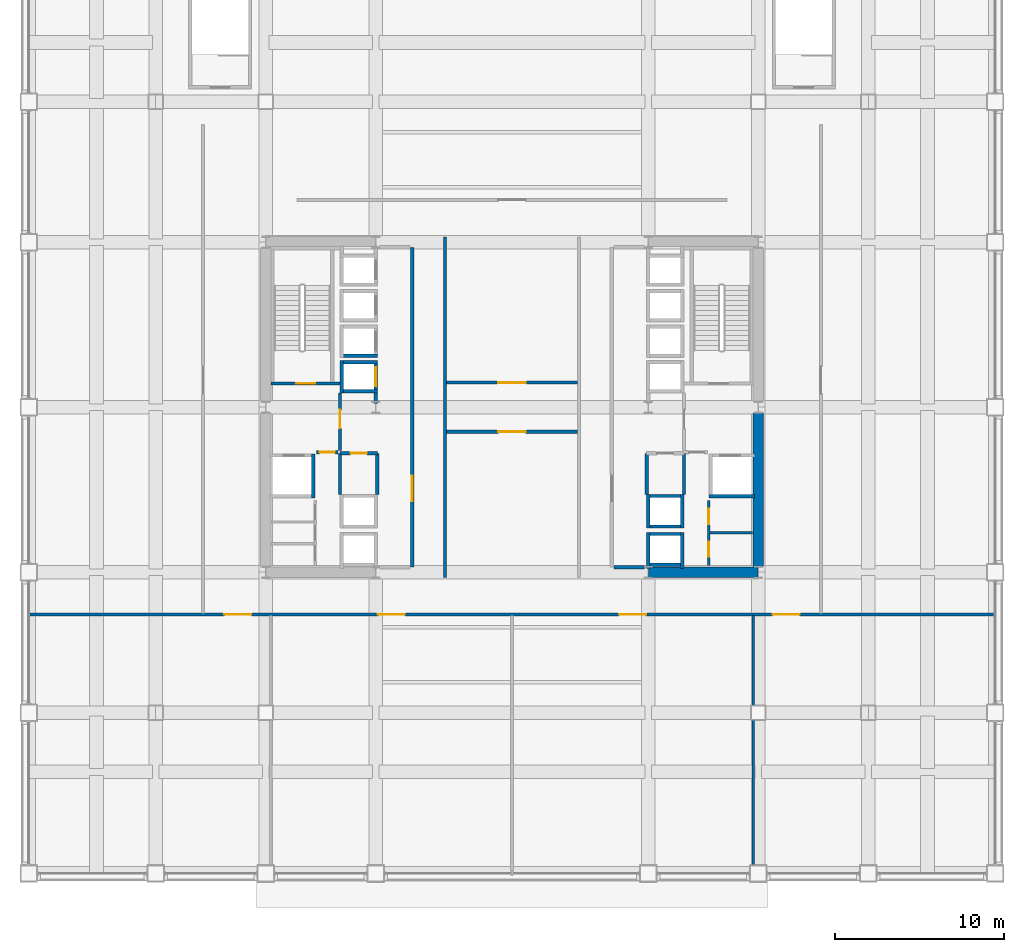
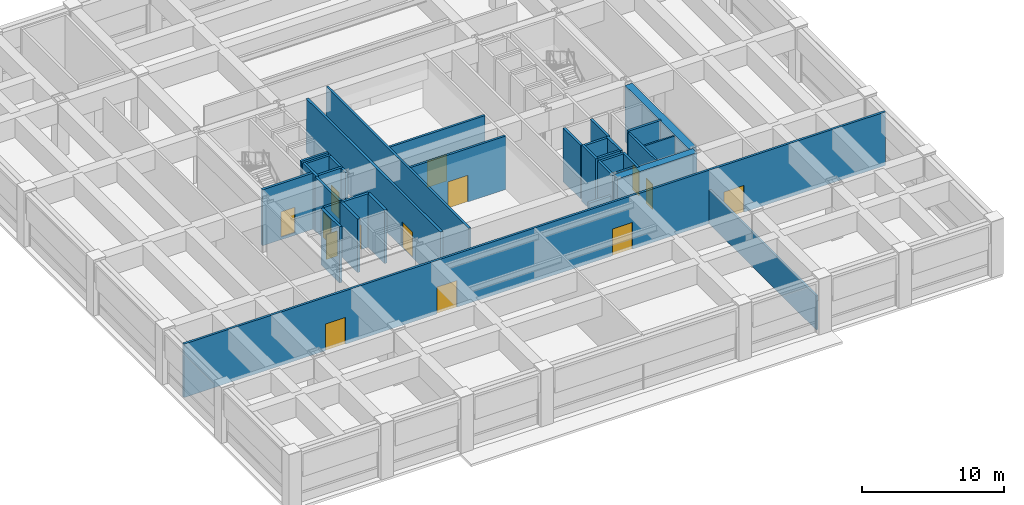
# One storey, part 27 of 30: 34 walls, 14 doors, 14 openings.
"""IFC4 building model written with IfcOpenShell, lengths in metres."""

from ifc_helpers import new_model, si_unit, direction, frame, frame_2d, origin, place, context, subcontext, project, spatial, rectangle, extrude, material, layer, layer_set, type_object, element, fill, save


model = new_model("IFC4")

# Units and contexts
model_context = context("Model", 3, precision=1e-05, world=origin(), true_north=direction((0.0, 1.0)))
body_context = subcontext(model_context, "Body", "Model", "MODEL_VIEW")
ifc_project = project(units=[si_unit("LENGTHUNIT", "METRE"), si_unit("AREAUNIT", "SQUARE_METRE"), si_unit("VOLUMEUNIT", "CUBIC_METRE"), si_unit("PLANEANGLEUNIT", "RADIAN"), si_unit("MASSUNIT", "GRAM", prefix="KILO")], contexts=[model_context])

# Site, building, storey
site_placement = place(None, origin())
site = spatial("IfcSite", under=ifc_project, at=site_placement, CompositionType="ELEMENT")
building_placement = place(site_placement, origin())
building = spatial("IfcBuilding", under=site, at=building_placement, Name="Brelmoor Portico Tower", CompositionType="ELEMENT")
storey_placement = place(building_placement, frame((0.0, 0.0, 19.199951171875)))
storey = spatial("IfcBuildingStorey", under=building, at=storey_placement, Name="L04", CompositionType="ELEMENT", Elevation=19.199951171875)

# Walls
ifc_material_1 = material(Name="Concrete C60", Category="concrete")
ifc_layer_1 = layer(ifc_material_1, 0.60009765625)
ifc_layer_set_1 = layer_set([ifc_layer_1], Name="Concrete C60")
wall_type_1 = type_object("IfcWallType", Name="WL-CORE-600", PredefinedType="SHEAR", material=ifc_layer_set_1)
wall_1_placement = place(storey_placement, frame((8.070068359375, -9.75, -0.219970703125), z_axis=(0.0, 0.0, 1.0), x_axis=(1.0, 0.0, 0.0)))
element("IfcWall", 1, at=wall_1_placement, inside=storey, type_object=wall_type_1, Name="L04 EC South Shear Wall", PredefinedType="SHEAR", context=body_context, shape_type="SweptSolid", body=[
    extrude(rectangle(XDim=6.4599609375, YDim=0.60009765625, at=frame_2d((3.22998046875, 0.0))), origin(), (0.0, 0.0, 1.0), 4.820068359375),
])
wall_2_placement = place(storey_placement, frame((14.550048828125, -9.39990234375, -0.219970703125), z_axis=(0.0, 0.0, 1.0), x_axis=(0.0, 1.0, 0.0)))
element("IfcWall", 2, at=wall_2_placement, inside=storey, type_object=wall_type_1, Name="L04 EC Outer South Shear Wall", PredefinedType="SHEAR", context=body_context, shape_type="SweptSolid", body=[
    extrude(rectangle(XDim=9.0498046875, YDim=0.60009765625, at=frame_2d((4.52490234375, 0.0))), origin(), (0.0, 0.0, 1.0), 4.820068359375),
])
ifc_material_2 = material(Name="Insulated Stud Suite Partition", Category="gypsum")
ifc_layer_2 = layer(ifc_material_2, 0.139892578125)
ifc_layer_set_2 = layer_set([ifc_layer_2], Name="Insulated Stud Suite Partition")
wall_type_2 = type_object("IfcWallType", Name="WL-PART-140", PredefinedType="PARTITIONING", material=ifc_layer_set_2)
wall_3_placement = place(storey_placement, frame((11.699951171875, -7.425048828125, 0.0), z_axis=(0.0, 0.0, 1.0), x_axis=(1.0, 0.0, 0.0)))
element("IfcWall", 3, at=wall_3_placement, inside=storey, type_object=wall_type_2, Name="L04 E Core WC Divider 1", PredefinedType="PARTITIONING", context=body_context, shape_type="SweptSolid", body=[
    extrude(rectangle(XDim=2.5, YDim=0.139892578125, at=frame_2d((1.25, 0.0))), origin(), (0.0, 0.0, 1.0), 4.60009765625),
])

# Wall, openings, doors
ifc_material_3 = material(Name="Twin-Frame Acoustic Partition", Category="gypsum")
ifc_layer_3 = layer(ifc_material_3, 0.159912109375)
ifc_layer_set_3 = layer_set([ifc_layer_3], Name="Twin-Frame Acoustic Partition")
wall_type_3 = type_object("IfcWallType", Name="WL-PART-160", PredefinedType="PARTITIONING", material=ifc_layer_set_3)
wall_4_placement = place(storey_placement, frame((11.6201171875, -9.35009765625, 0.0), z_axis=(0.0, 0.0, 1.0), x_axis=(0.0, 1.0, 0.0)))
wall_4 = element("IfcWall", 4, at=wall_4_placement, inside=storey, type_object=wall_type_3, Name="L04 E Core Service Front Wall", PredefinedType="PARTITIONING", context=body_context, shape_type="SweptSolid", body=[
    extrude(rectangle(XDim=3.85009765625, YDim=0.159912109375, at=frame_2d((1.925048828125, 0.0))), origin(), (0.0, 0.0, 1.0), 4.60009765625),
])
opening_1_placement = place(wall_4_placement, frame((0.512451171875, 0.0, 0.0)))
opening_1 = element("IfcOpeningElement", 5, at=opening_1_placement, cuts=wall_4, Name="Opening D-IN1", PredefinedType="OPENING", context=body_context, shape_type="SweptSolid", body=[
    extrude(rectangle(XDim=0.89990234375, YDim=2.14990234375, at=frame_2d((0.449951171875, 1.074951171875))), frame((0.0, 0.08984375, 0.0), z_axis=(0.0, -1.0, 0.0), x_axis=(1.0, 0.0, 0.0)), (0.0, 0.0, 1.0), 0.179931640625),
])
opening_2_placement = place(wall_4_placement, frame((2.4375, 0.0, 0.0)))
opening_2 = element("IfcOpeningElement", 6, at=opening_2_placement, cuts=wall_4, Name="Opening D-IN1", PredefinedType="OPENING", context=body_context, shape_type="SweptSolid", body=[
    extrude(rectangle(XDim=0.89990234375, YDim=2.14990234375, at=frame_2d((0.449951171875, 1.074951171875))), frame((0.0, 0.08984375, 0.0), z_axis=(0.0, -1.0, 0.0), x_axis=(1.0, 0.0, 0.0)), (0.0, 0.0, 1.0), 0.179931640625),
])
ifc_material_4 = material(Name="Lacquered Timber Suite Door", Category="wood")
door_type_1 = type_object("IfcDoorType", Name="DR-INT-900", OperationType="NOTDEFINED", PredefinedType="DOOR", material=ifc_material_4)
door_1_placement = place(opening_1_placement, origin())
door_1 = element("IfcDoor", 7, at=door_1_placement, inside=storey, type_object=door_type_1, Name="D-0205 L04 E Male WC Door", OperationType="SINGLE_SWING_RIGHT", OverallHeight=2.14990234375, OverallWidth=0.89990234375, PredefinedType="DOOR", context=body_context, shape_type="SweptSolid", body=[
    extrude(rectangle(XDim=0.89990234375, YDim=2.14990234375, at=frame_2d((0.449951171875, 1.074951171875))), frame((0.0, 0.02490234375, 0.0), z_axis=(0.0, -1.0, 0.0), x_axis=(1.0, 0.0, 0.0)), (0.0, 0.0, 1.0), 0.050048828125),
])
fill(opening_1, door_1)
door_2_placement = place(opening_2_placement, origin())
door_2 = element("IfcDoor", 8, at=door_2_placement, inside=storey, type_object=door_type_1, Name="D-0206 L04 E Female WC Door", OperationType="SINGLE_SWING_LEFT", OverallHeight=2.14990234375, OverallWidth=0.89990234375, PredefinedType="DOOR", context=body_context, shape_type="SweptSolid", body=[
    extrude(rectangle(XDim=0.89990234375, YDim=2.14990234375, at=frame_2d((0.449951171875, 1.074951171875))), frame((0.0, 0.02490234375, 0.0), z_axis=(0.0, -1.0, 0.0), x_axis=(1.0, 0.0, 0.0)), (0.0, 0.0, 1.0), 0.050048828125),
])
fill(opening_2, door_2)

# Walls
wall_5_placement = place(storey_placement, frame((14.260009765625, -27.39990234375, 0.0), z_axis=(0.0, 0.0, 1.0), x_axis=(0.0, 1.0, 0.0)))
element("IfcWall", 9, at=wall_5_placement, inside=storey, type_object=wall_type_3, Name="L04 South Bridge Divider 3", PredefinedType="PARTITIONING", context=body_context, shape_type="SweptSolid", body=[
    extrude(rectangle(XDim=15.079833984375, YDim=0.159912109375, at=frame_2d((7.5400390625, 0.0))), origin(), (0.0, 0.0, 1.0), 2.920166015625),
])
ifc_material_5 = material(Name="Acoustic Corridor Fire Partition", Category="gypsum")
ifc_layer_4 = layer(ifc_material_5, 0.179931640625)
ifc_layer_set_4 = layer_set([ifc_layer_4], Name="Acoustic Corridor Fire Partition")
wall_type_4 = type_object("IfcWallType", Name="WL-PART-180", PredefinedType="PARTITIONING", material=ifc_layer_set_4)
wall_6_placement = place(storey_placement, frame((-3.949951171875, -10.050048828125, 0.0), z_axis=(0.0, 0.0, 1.0), x_axis=(0.0, 1.0, 0.0)))
element("IfcWall", 10, at=wall_6_placement, inside=storey, type_object=wall_type_4, Name="L04 Central Hall West Wall", PredefinedType="PARTITIONING", context=body_context, shape_type="SweptSolid", body=[
    extrude(rectangle(XDim=20.10009765625, YDim=0.179931640625, at=frame_2d((10.050048828125, 0.0))), origin(), (0.0, 0.0, 1.0), 4.60009765625),
])

# Wall, opening, door
wall_7_placement = place(storey_placement, frame((-3.8798828125, 1.449951171875, 0.0), z_axis=(0.0, 0.0, 1.0), x_axis=(1.0, 0.0, 0.0)))
wall_7 = element("IfcWall", 11, at=wall_7_placement, inside=storey, type_object=wall_type_4, Name="L04 Bridge Auditorium Wall", PredefinedType="PARTITIONING", context=body_context, shape_type="SweptSolid", body=[
    extrude(rectangle(XDim=7.759765625, YDim=0.179931640625, at=frame_2d((3.8798828125, 0.0))), origin(), (0.0, 0.0, 1.0), 4.60009765625),
])
opening_3_placement = place(wall_7_placement, frame((3.080078125, 0.0, 0.0)))
opening_3 = element("IfcOpeningElement", 12, at=opening_3_placement, cuts=wall_7, Name="Opening D-PB1", PredefinedType="OPENING", context=body_context, shape_type="SweptSolid", body=[
    extrude(rectangle(XDim=1.60009765625, YDim=2.300048828125, at=frame_2d((0.800048828125, 1.14990234375))), frame((0.0, 0.099853515625, 0.0), z_axis=(0.0, -1.0, 0.0), x_axis=(1.0, 0.0, 0.0)), (0.0, 0.0, 1.0), 0.199951171875),
])
ifc_material_6 = material(Name="Double-Leaf Anodised Aluminium Hall Door", Category="aluminium")
door_type_2 = type_object("IfcDoorType", Name="DR-PUBLIC-1600", OperationType="NOTDEFINED", PredefinedType="DOOR", material=ifc_material_6)
door_3_placement = place(opening_3_placement, origin())
door_3 = element("IfcDoor", 13, at=door_3_placement, inside=storey, type_object=door_type_2, Name="D-0196 L04 Bridge Lecture Hall Door", OperationType="DOUBLE_DOOR_SINGLE_SWING", OverallHeight=2.300048828125, OverallWidth=1.60009765625, PredefinedType="DOOR", context=body_context, shape_type="SweptSolid", body=[
    extrude(rectangle(XDim=1.60009765625, YDim=2.300048828125, at=frame_2d((0.800048828125, 1.14990234375))), frame((0.0, 0.02490234375, 0.0), z_axis=(0.0, -1.0, 0.0), x_axis=(1.0, 0.0, 0.0)), (0.0, 0.0, 1.0), 0.050048828125),
])
fill(opening_3, door_3)

wall_8_placement = place(storey_placement, frame((-3.8798828125, -1.449951171875, 0.0), z_axis=(0.0, 0.0, 1.0), x_axis=(1.0, 0.0, 0.0)))
wall_8 = element("IfcWall", 14, at=wall_8_placement, inside=storey, type_object=wall_type_4, Name="L04 Bridge Boardroom Wall", PredefinedType="PARTITIONING", context=body_context, shape_type="SweptSolid", body=[
    extrude(rectangle(XDim=7.759765625, YDim=0.179931640625, at=frame_2d((3.8798828125, 0.0))), origin(), (0.0, 0.0, 1.0), 4.60009765625),
])
opening_4_placement = place(wall_8_placement, frame((3.080078125, 0.0, 0.0)))
opening_4 = element("IfcOpeningElement", 15, at=opening_4_placement, cuts=wall_8, Name="Opening D-PB1", PredefinedType="OPENING", context=body_context, shape_type="SweptSolid", body=[
    extrude(rectangle(XDim=1.60009765625, YDim=2.300048828125, at=frame_2d((0.800048828125, 1.14990234375))), frame((0.0, 0.099853515625, 0.0), z_axis=(0.0, -1.0, 0.0), x_axis=(1.0, 0.0, 0.0)), (0.0, 0.0, 1.0), 0.199951171875),
])
door_4_placement = place(opening_4_placement, origin())
door_4 = element("IfcDoor", 16, at=door_4_placement, inside=storey, type_object=door_type_2, Name="D-0197 L04 Bridge Executive Office Door", OperationType="DOUBLE_DOOR_SINGLE_SWING", OverallHeight=2.300048828125, OverallWidth=1.60009765625, PredefinedType="DOOR", context=body_context, shape_type="SweptSolid", body=[
    extrude(rectangle(XDim=1.60009765625, YDim=2.300048828125, at=frame_2d((0.800048828125, 1.14990234375))), frame((0.0, 0.02490234375, 0.0), z_axis=(0.0, -1.0, 0.0), x_axis=(1.0, 0.0, 0.0)), (0.0, 0.0, 1.0), 0.050048828125),
])
fill(opening_4, door_4)

# Wall, openings, doors
wall_9_placement = place(storey_placement, frame((-28.52001953125, -12.25, 0.0), z_axis=(0.0, 0.0, 1.0), x_axis=(1.0, 0.0, 0.0)))
wall_9 = element("IfcWall", 17, at=wall_9_placement, inside=storey, type_object=wall_type_4, Name="L04 South Bridge Promenade Wall", PredefinedType="PARTITIONING", context=body_context, shape_type="SweptSolid", body=[
    extrude(rectangle(XDim=57.0400390625, YDim=0.179931640625, at=frame_2d((28.52001953125, 0.0))), origin(), (0.0, 0.0, 1.0), 4.60009765625),
])
opening_5_placement = place(wall_9_placement, frame((11.52001953125, 0.0, 0.0)))
opening_5 = element("IfcOpeningElement", 18, at=opening_5_placement, cuts=wall_9, Name="Opening D-PB1", PredefinedType="OPENING", context=body_context, shape_type="SweptSolid", body=[
    extrude(rectangle(XDim=1.60009765625, YDim=2.300048828125, at=frame_2d((0.800048828125, 1.14990234375))), frame((0.0, 0.099853515625, 0.0), z_axis=(0.0, -1.0, 0.0), x_axis=(1.0, 0.0, 0.0)), (0.0, 0.0, 1.0), 0.199951171875),
])
opening_6_placement = place(wall_9_placement, frame((20.590087890625, 0.0, 0.0)))
opening_6 = element("IfcOpeningElement", 19, at=opening_6_placement, cuts=wall_9, Name="Opening D-PB1", PredefinedType="OPENING", context=body_context, shape_type="SweptSolid", body=[
    extrude(rectangle(XDim=1.60009765625, YDim=2.300048828125, at=frame_2d((0.800048828125, 1.14990234375))), frame((0.0, 0.099853515625, 0.0), z_axis=(0.0, -1.0, 0.0), x_axis=(1.0, 0.0, 0.0)), (0.0, 0.0, 1.0), 0.199951171875),
])
opening_7_placement = place(wall_9_placement, frame((34.85009765625, 0.0, 0.0)))
opening_7 = element("IfcOpeningElement", 20, at=opening_7_placement, cuts=wall_9, Name="Opening D-PB1", PredefinedType="OPENING", context=body_context, shape_type="SweptSolid", body=[
    extrude(rectangle(XDim=1.60009765625, YDim=2.300048828125, at=frame_2d((0.800048828125, 1.14990234375))), frame((0.0, 0.099853515625, 0.0), z_axis=(0.0, -1.0, 0.0), x_axis=(1.0, 0.0, 0.0)), (0.0, 0.0, 1.0), 0.199951171875),
])
opening_8_placement = place(wall_9_placement, frame((43.919921875, 0.0, 0.0)))
opening_8 = element("IfcOpeningElement", 21, at=opening_8_placement, cuts=wall_9, Name="Opening D-PB1", PredefinedType="OPENING", context=body_context, shape_type="SweptSolid", body=[
    extrude(rectangle(XDim=1.60009765625, YDim=2.300048828125, at=frame_2d((0.800048828125, 1.14990234375))), frame((0.0, 0.099853515625, 0.0), z_axis=(0.0, -1.0, 0.0), x_axis=(1.0, 0.0, 0.0)), (0.0, 0.0, 1.0), 0.199951171875),
])
door_5_placement = place(opening_5_placement, origin())
door_5 = element("IfcDoor", 22, at=door_5_placement, inside=storey, type_object=door_type_2, Name="D-0199 L04 Collaborative Design Office Door", OperationType="DOUBLE_DOOR_SINGLE_SWING", OverallHeight=2.300048828125, OverallWidth=1.60009765625, PredefinedType="DOOR", context=body_context, shape_type="SweptSolid", body=[
    extrude(rectangle(XDim=1.60009765625, YDim=2.300048828125, at=frame_2d((0.800048828125, 1.14990234375))), frame((0.0, 0.02490234375, 0.0), z_axis=(0.0, -1.0, 0.0), x_axis=(1.0, 0.0, 0.0)), (0.0, 0.0, 1.0), 0.050048828125),
])
fill(opening_5, door_5)
door_6_placement = place(opening_6_placement, origin())
door_6 = element("IfcDoor", 23, at=door_6_placement, inside=storey, type_object=door_type_2, Name="D-0200 L04 Technical Archive Library Door", OperationType="DOUBLE_DOOR_SINGLE_SWING", OverallHeight=2.300048828125, OverallWidth=1.60009765625, PredefinedType="DOOR", context=body_context, shape_type="SweptSolid", body=[
    extrude(rectangle(XDim=1.60009765625, YDim=2.300048828125, at=frame_2d((0.800048828125, 1.14990234375))), frame((0.0, 0.02490234375, 0.0), z_axis=(0.0, -1.0, 0.0), x_axis=(1.0, 0.0, 0.0)), (0.0, 0.0, 1.0), 0.050048828125),
])
fill(opening_6, door_6)
door_7_placement = place(opening_7_placement, origin())
door_7 = element("IfcDoor", 24, at=door_7_placement, inside=storey, type_object=door_type_2, Name="D-0201 L04 Project Research Studio Door", OperationType="DOUBLE_DOOR_SINGLE_SWING", OverallHeight=2.300048828125, OverallWidth=1.60009765625, PredefinedType="DOOR", context=body_context, shape_type="SweptSolid", body=[
    extrude(rectangle(XDim=1.60009765625, YDim=2.300048828125, at=frame_2d((0.800048828125, 1.14990234375))), frame((0.0, 0.02490234375, 0.0), z_axis=(0.0, -1.0, 0.0), x_axis=(1.0, 0.0, 0.0)), (0.0, 0.0, 1.0), 0.050048828125),
])
fill(opening_7, door_7)
door_8_placement = place(opening_8_placement, origin())
door_8 = element("IfcDoor", 25, at=door_8_placement, inside=storey, type_object=door_type_2, Name="D-0202 L04 Partner Office Suite Door", OperationType="DOUBLE_DOOR_SINGLE_SWING", OverallHeight=2.300048828125, OverallWidth=1.60009765625, PredefinedType="DOOR", context=body_context, shape_type="SweptSolid", body=[
    extrude(rectangle(XDim=1.60009765625, YDim=2.300048828125, at=frame_2d((0.800048828125, 1.14990234375))), frame((0.0, 0.02490234375, 0.0), z_axis=(0.0, -1.0, 0.0), x_axis=(1.0, 0.0, 0.0)), (0.0, 0.0, 1.0), 0.050048828125),
])
fill(opening_8, door_8)

# Wall, opening, door
ifc_material_7 = material(Name="Double-Stud Gypsum Fire Partition", Category="gypsum")
ifc_layer_5 = layer(ifc_material_7, 0.199951171875)
ifc_layer_set_5 = layer_set([ifc_layer_5], Name="Double-Stud Gypsum Fire Partition")
wall_type_5 = type_object("IfcWallType", Name="WL-PART-200", PredefinedType="PARTITIONING", material=ifc_layer_set_5)
wall_10_placement = place(storey_placement, frame((-5.89990234375, -9.449951171875, 0.0), z_axis=(0.0, 0.0, 1.0), x_axis=(0.0, 1.0, 0.0)))
wall_10 = element("IfcWall", 26, at=wall_10_placement, inside=storey, type_object=wall_type_5, Name="L04 W Core Lobby Compartment Wall", PredefinedType="PARTITIONING", context=body_context, shape_type="SweptSolid", body=[
    extrude(rectangle(XDim=18.89990234375, YDim=0.199951171875, at=frame_2d((9.449951171875, 0.0))), origin(), (0.0, 0.0, 1.0), 4.60009765625),
])
opening_9_placement = place(wall_10_placement, frame((3.89990234375, 0.0, 0.0)))
opening_9 = element("IfcOpeningElement", 27, at=opening_9_placement, cuts=wall_10, Name="Opening D-LB1", PredefinedType="OPENING", context=body_context, shape_type="SweptSolid", body=[
    extrude(rectangle(XDim=1.5, YDim=2.199951171875, at=frame_2d((0.75, 1.10009765625))), frame((0.0, 0.10986328125, 0.0), z_axis=(0.0, -1.0, 0.0), x_axis=(1.0, 0.0, 0.0)), (0.0, 0.0, 1.0), 0.219970703125),
])
ifc_material_8 = material(Name="Double-Leaf Glazed Steel Fire Door", Category="steel")
door_type_3 = type_object("IfcDoorType", Name="DR-LOBBY-1500", OperationType="NOTDEFINED", PredefinedType="DOOR", material=ifc_material_8)
door_9_placement = place(opening_9_placement, origin())
door_9 = element("IfcDoor", 28, at=door_9_placement, inside=storey, type_object=door_type_3, Name="D-0217 L04 W Lift Lobby Main Door", OperationType="DOUBLE_DOOR_SINGLE_SWING", OverallHeight=2.199951171875, OverallWidth=1.5, PredefinedType="DOOR", context=body_context, shape_type="SweptSolid", body=[
    extrude(rectangle(XDim=1.5, YDim=2.199951171875, at=frame_2d((0.75, 1.10009765625))), frame((0.0, 0.02490234375, 0.0), z_axis=(0.0, -1.0, 0.0), x_axis=(1.0, 0.0, 0.0)), (0.0, 0.0, 1.0), 0.050048828125),
])
fill(opening_9, door_9)

wall_11_placement = place(storey_placement, frame((-10.159912109375, -2.550048828125, 0.0), z_axis=(0.0, 0.0, 1.0), x_axis=(0.0, 1.0, 0.0)))
wall_11 = element("IfcWall", 29, at=wall_11_placement, inside=storey, type_object=wall_type_5, Name="L04 W Firefighting Lobby Wall", PredefinedType="PARTITIONING", context=body_context, shape_type="SweptSolid", body=[
    extrude(rectangle(XDim=3.400146484375, YDim=0.199951171875, at=frame_2d((1.7001953125, 0.0))), origin(), (0.0, 0.0, 1.0), 4.60009765625),
])
opening_10_placement = place(wall_11_placement, frame((1.300048828125, 0.0, 0.0)))
opening_10 = element("IfcOpeningElement", 30, at=opening_10_placement, cuts=wall_11, Name="Opening D-FR1", PredefinedType="OPENING", context=body_context, shape_type="SweptSolid", body=[
    extrude(rectangle(XDim=1.10009765625, YDim=2.14990234375, at=frame_2d((0.550048828125, 1.074951171875))), frame((0.0, 0.10986328125, 0.0), z_axis=(0.0, -1.0, 0.0), x_axis=(1.0, 0.0, 0.0)), (0.0, 0.0, 1.0), 0.219970703125),
])
ifc_material_9 = material(Name="Painted Galvanised Steel Fire Door", Category="steel")
door_type_4 = type_object("IfcDoorType", Name="DR-FIRE-1100", OperationType="NOTDEFINED", PredefinedType="DOOR", material=ifc_material_9)
door_10_placement = place(opening_10_placement, origin())
door_10 = element("IfcDoor", 31, at=door_10_placement, inside=storey, type_object=door_type_4, Name="D-0215 L04 W Firefighting Lobby Door", OperationType="SINGLE_SWING_LEFT", OverallHeight=2.14990234375, OverallWidth=1.10009765625, PredefinedType="DOOR", context=body_context, shape_type="SweptSolid", body=[
    extrude(rectangle(XDim=1.10009765625, YDim=2.14990234375, at=frame_2d((0.550048828125, 1.074951171875))), frame((0.0, 0.02490234375, 0.0), z_axis=(0.0, -1.0, 0.0), x_axis=(1.0, 0.0, 0.0)), (0.0, 0.0, 1.0), 0.050048828125),
])
fill(opening_10, door_10)

wall_12_placement = place(storey_placement, frame((-10.280029296875, -2.64990234375, 0.0), z_axis=(0.0, 0.0, 1.0), x_axis=(-1.0, 0.0, 0.0)))
wall_12 = element("IfcWall", 32, at=wall_12_placement, inside=storey, type_object=wall_type_5, Name="L04 W Firefighting Lobby South Wall", PredefinedType="PARTITIONING", context=body_context, shape_type="SweptSolid", body=[
    extrude(rectangle(XDim=1.27001953125, YDim=0.199951171875, at=frame_2d((0.635009765625, 0.0))), origin(), (0.0, 0.0, 1.0), 4.60009765625),
])
opening_11_placement = place(wall_12_placement, frame((0.18505859375, 0.0, 0.0)))
opening_11 = element("IfcOpeningElement", 33, at=opening_11_placement, cuts=wall_12, Name="Opening D-IN1", PredefinedType="OPENING", context=body_context, shape_type="SweptSolid", body=[
    extrude(rectangle(XDim=0.89990234375, YDim=2.14990234375, at=frame_2d((0.449951171875, 1.074951171875))), frame((0.0, 0.10986328125, 0.0), z_axis=(0.0, -1.0, 0.0), x_axis=(1.0, 0.0, 0.0)), (0.0, 0.0, 1.0), 0.219970703125),
])
door_11_placement = place(opening_11_placement, origin())
door_11 = element("IfcDoor", 34, at=door_11_placement, inside=storey, type_object=door_type_1, Name="D-0208 L04 W Core Service Vestibule Door", OperationType="SINGLE_SWING_RIGHT", OverallHeight=2.14990234375, OverallWidth=0.89990234375, PredefinedType="DOOR", context=body_context, shape_type="SweptSolid", body=[
    extrude(rectangle(XDim=0.89990234375, YDim=2.14990234375, at=frame_2d((0.449951171875, 1.074951171875))), frame((0.0, 0.02490234375, 0.0), z_axis=(0.0, -1.0, 0.0), x_axis=(1.0, 0.0, 0.0)), (0.0, 0.0, 1.0), 0.050048828125),
])
fill(opening_11, door_11)

wall_13_placement = place(storey_placement, frame((-7.9599609375, -2.719970703125, 0.0), z_axis=(0.0, 0.0, 1.0), x_axis=(-1.0, 0.0, 0.0)))
wall_13 = element("IfcWall", 35, at=wall_13_placement, inside=storey, type_object=wall_type_5, Name="L04 W Electrical Switchgear Closet Wall", PredefinedType="PARTITIONING", context=body_context, shape_type="SweptSolid", body=[
    extrude(rectangle(XDim=2.199951171875, YDim=0.199951171875, at=frame_2d((1.10009765625, 0.0))), origin(), (0.0, 0.0, 1.0), 4.60009765625),
])
opening_12_placement = place(wall_13_placement, frame((0.6201171875, 0.0, 0.0)))
opening_12 = element("IfcOpeningElement", 36, at=opening_12_placement, cuts=wall_13, Name="Opening D-FR4", PredefinedType="OPENING", context=body_context, shape_type="SweptSolid", body=[
    extrude(rectangle(XDim=0.949951171875, YDim=2.10009765625, at=frame_2d((0.47509765625, 1.050048828125))), frame((0.0, 0.10986328125, 0.0), z_axis=(0.0, -1.0, 0.0), x_axis=(1.0, 0.0, 0.0)), (0.0, 0.0, 1.0), 0.219970703125),
])
ifc_material_10 = material(Name="Painted Galvanised Steel Riser Door", Category="steel")
door_type_5 = type_object("IfcDoorType", Name="DR-FIRE-950", OperationType="NOTDEFINED", PredefinedType="DOOR", material=ifc_material_10)
door_12_placement = place(opening_12_placement, origin())
door_12 = element("IfcDoor", 37, at=door_12_placement, inside=storey, type_object=door_type_5, Name="D-0213 L04 W Electrical Switchgear Closet Door", OperationType="SINGLE_SWING_LEFT", OverallHeight=2.10009765625, OverallWidth=0.949951171875, PredefinedType="DOOR", context=body_context, shape_type="SweptSolid", body=[
    extrude(rectangle(XDim=0.949951171875, YDim=2.10009765625, at=frame_2d((0.47509765625, 1.050048828125))), frame((0.0, 0.02490234375, 0.0), z_axis=(0.0, -1.0, 0.0), x_axis=(1.0, 0.0, 0.0)), (0.0, 0.0, 1.0), 0.050048828125),
])
fill(opening_12, door_12)

# Walls
for number, where, z_axis, x_axis, name in (
    (38, (-7.9599609375, -5.159912109375, 0.0), (0.0, 0.0, 1.0), (0.0, 1.0, 0.0), "L04 W Electrical Switchgear Closet Inner Wall"),
    (39, (-10.159912109375, -5.159912109375, 0.0), (0.0, 0.0, 1.0), (0.0, 1.0, 0.0), "L04 W Electrical Switchgear Closet Outer Wall"),
):
    element("IfcWall", number, at=place(storey_placement, frame(where, z_axis=z_axis, x_axis=x_axis)), inside=storey, type_object=wall_type_5, Name=name, PredefinedType="PARTITIONING", context=body_context, shape_type="SweptSolid", body=[
        extrude(rectangle(XDim=2.43994140625, YDim=0.199951171875, at=frame_2d((1.219970703125, 0.0))), origin(), (0.0, 0.0, 1.0), 4.60009765625),
    ])
wall_14_placement = place(storey_placement, frame((6.02001953125, -9.449951171875, 0.0), z_axis=(0.0, 0.0, 1.0), x_axis=(1.0, 0.0, 0.0)))
element("IfcWall", 40, at=wall_14_placement, inside=storey, type_object=wall_type_5, Name="L04 E Lift Lobby South End Wall", PredefinedType="PARTITIONING", context=body_context, shape_type="SweptSolid", body=[
    extrude(rectangle(XDim=1.800048828125, YDim=0.199951171875, at=frame_2d((0.89990234375, 0.0))), origin(), (0.0, 0.0, 1.0), 2.920166015625),
])
for number, where, z_axis, x_axis, name in (
    (41, (7.9599609375, -5.159912109375, 0.0), (0.0, 0.0, 1.0), (0.0, 1.0, 0.0), "L04 E Electrical Switchgear Closet Inner Wall"),
    (42, (10.159912109375, -5.159912109375, 0.0), (0.0, 0.0, 1.0), (0.0, 1.0, 0.0), "L04 E Electrical Switchgear Closet Outer Wall"),
):
    element("IfcWall", number, at=place(storey_placement, frame(where, z_axis=z_axis, x_axis=x_axis)), inside=storey, type_object=wall_type_5, Name=name, PredefinedType="PARTITIONING", context=body_context, shape_type="SweptSolid", body=[
        extrude(rectangle(XDim=2.43994140625, YDim=0.199951171875, at=frame_2d((1.219970703125, 0.0))), origin(), (0.0, 0.0, 1.0), 4.60009765625),
    ])

# Wall, opening, door
ifc_material_11 = material(Name="Precast Concrete C40", Category="concrete")
ifc_layer_6 = layer(ifc_material_11, 0.18994140625)
ifc_layer_set_6 = layer_set([ifc_layer_6], Name="Precast Concrete C40")
wall_type_6 = type_object("IfcWallType", Name="WL-SHAFT-180", PredefinedType="SOLIDWALL", material=ifc_layer_set_6)
wall_15_placement = place(storey_placement, frame((-8.044921875, 0.2099609375, -0.219970703125), z_axis=(0.0, 0.0, 1.0), x_axis=(0.0, 1.0, 0.0)))
wall_15 = element("IfcWall", 43, at=wall_15_placement, inside=storey, type_object=wall_type_6, Name="L04 Lift PL1 Hoistway Front Wall", PredefinedType="SOLIDWALL", context=body_context, shape_type="SweptSolid", body=[
    extrude(rectangle(XDim=2.5400390625, YDim=0.18994140625, at=frame_2d((1.27001953125, 0.0))), origin(), (0.0, 0.0, 1.0), 4.820068359375),
])
opening_13_placement = place(wall_15_placement, frame((1.0400390625, 0.0, 0.219970703125)))
opening_13 = element("IfcOpeningElement", 44, at=opening_13_placement, cuts=wall_15, Name="Opening LD-01", PredefinedType="OPENING", context=body_context, shape_type="SweptSolid", body=[
    extrude(rectangle(XDim=1.10009765625, YDim=2.199951171875, at=frame_2d((0.550048828125, 1.10009765625))), frame((0.0, 0.10498046875, 0.0), z_axis=(0.0, -1.0, 0.0), x_axis=(1.0, 0.0, 0.0)), (0.0, 0.0, 1.0), 0.2099609375),
])
ifc_material_12 = material(Name="Brushed Stainless Steel Sliding Lift Door", Category="steel")
door_type_6 = type_object("IfcDoorType", Name="DR-LIFT-1100", OperationType="NOTDEFINED", PredefinedType="DOOR", material=ifc_material_12)
door_13_placement = place(opening_13_placement, origin())
door_13 = element("IfcDoor", 45, at=door_13_placement, inside=storey, type_object=door_type_6, Name="D-0224 L04 Lift PL1 Sliding Landing Door", OperationType="SLIDING_TO_LEFT", OverallHeight=2.199951171875, OverallWidth=1.10009765625, PredefinedType="DOOR", context=body_context, shape_type="SweptSolid", body=[
    extrude(rectangle(XDim=1.10009765625, YDim=2.199951171875, at=frame_2d((0.550048828125, 1.10009765625))), frame((0.0, 0.02490234375, 0.0), z_axis=(0.0, -1.0, 0.0), x_axis=(1.0, 0.0, 0.0)), (0.0, 0.0, 1.0), 0.050048828125),
])
fill(opening_13, door_13)

# Walls
wall_16_placement = place(storey_placement, frame((-10.054931640625, 0.85009765625, -0.219970703125), z_axis=(0.0, 0.0, 1.0), x_axis=(0.0, 1.0, 0.0)))
element("IfcWall", 46, at=wall_16_placement, inside=storey, type_object=wall_type_6, Name="L04 Lift PL1 Hoistway Back Wall", PredefinedType="SOLIDWALL", context=body_context, shape_type="SweptSolid", body=[
    extrude(rectangle(XDim=1.89990234375, YDim=0.18994140625, at=frame_2d((0.949951171875, 0.0))), origin(), (0.0, 0.0, 1.0), 4.820068359375),
])
for number, where, z_axis, x_axis, name in (
    (47, (-10.14990234375, 2.655029296875, -0.219970703125), (0.0, 0.0, 1.0), (1.0, 0.0, 0.0), "L04 Lift PL1 Hoistway North Wall"),
    (48, (-10.14990234375, 0.945068359375, -0.219970703125), (0.0, 0.0, 1.0), (1.0, 0.0, 0.0), "L04 Lift PL1 Hoistway South Wall"),
    (49, (-10.14990234375, 3.044921875, -0.219970703125), (0.0, 0.0, 1.0), (1.0, 0.0, 0.0), "L04 Lift PL2 Hoistway South Wall"),
):
    element("IfcWall", number, at=place(storey_placement, frame(where, z_axis=z_axis, x_axis=x_axis)), inside=storey, type_object=wall_type_6, Name=name, PredefinedType="SOLIDWALL", context=body_context, shape_type="SweptSolid", body=[
        extrude(rectangle(XDim=2.199951171875, YDim=0.18994140625, at=frame_2d((1.10009765625, 0.0))), origin(), (0.0, 0.0, 1.0), 4.820068359375),
    ])
for number, where, z_axis, x_axis, name in (
    (50, (8.044921875, -9.52001953125, -0.219970703125), (0.0, 0.0, 1.0), (0.0, 1.0, 0.0), "L04 Lift PH3 Hoistway Front Wall"),
    (51, (10.054931640625, -9.52001953125, -0.219970703125), (0.0, 0.0, 1.0), (0.0, 1.0, 0.0), "L04 Lift PH3 Hoistway Back Wall"),
):
    element("IfcWall", number, at=place(storey_placement, frame(where, z_axis=z_axis, x_axis=x_axis)), inside=storey, type_object=wall_type_6, Name=name, PredefinedType="SOLIDWALL", context=body_context, shape_type="SweptSolid", body=[
        extrude(rectangle(XDim=2.1201171875, YDim=0.18994140625, at=frame_2d((1.06005859375, 0.0))), origin(), (0.0, 0.0, 1.0), 4.820068359375),
    ])
for number, where, z_axis, x_axis, name in (
    (52, (7.949951171875, -7.4951171875, -0.219970703125), (0.0, 0.0, 1.0), (1.0, 0.0, 0.0), "L04 Lift PH3 Hoistway North Wall"),
    (53, (7.949951171875, -9.304931640625, -0.219970703125), (0.0, 0.0, 1.0), (1.0, 0.0, 0.0), "L04 Lift PH3 Hoistway South Wall"),
):
    element("IfcWall", number, at=place(storey_placement, frame(where, z_axis=z_axis, x_axis=x_axis)), inside=storey, type_object=wall_type_6, Name=name, PredefinedType="SOLIDWALL", context=body_context, shape_type="SweptSolid", body=[
        extrude(rectangle(XDim=2.199951171875, YDim=0.18994140625, at=frame_2d((1.10009765625, 0.0))), origin(), (0.0, 0.0, 1.0), 4.820068359375),
    ])
for number, where, z_axis, x_axis, name in (
    (54, (8.044921875, -7.14990234375, -0.219970703125), (0.0, 0.0, 1.0), (0.0, 1.0, 0.0), "L04 Lift PH4 Hoistway Front Wall"),
    (55, (10.054931640625, -7.14990234375, -0.219970703125), (0.0, 0.0, 1.0), (0.0, 1.0, 0.0), "L04 Lift PH4 Hoistway Back Wall"),
):
    element("IfcWall", number, at=place(storey_placement, frame(where, z_axis=z_axis, x_axis=x_axis)), inside=storey, type_object=wall_type_6, Name=name, PredefinedType="SOLIDWALL", context=body_context, shape_type="SweptSolid", body=[
        extrude(rectangle(XDim=2.0, YDim=0.18994140625, at=frame_2d((1.0, 0.0))), origin(), (0.0, 0.0, 1.0), 4.820068359375),
    ])
for number, where, z_axis, x_axis, name in (
    (56, (7.949951171875, -5.2451171875, -0.219970703125), (0.0, 0.0, 1.0), (1.0, 0.0, 0.0), "L04 Lift PH4 Hoistway North Wall"),
    (57, (7.949951171875, -7.054931640625, -0.219970703125), (0.0, 0.0, 1.0), (1.0, 0.0, 0.0), "L04 Lift PH4 Hoistway South Wall"),
):
    element("IfcWall", number, at=place(storey_placement, frame(where, z_axis=z_axis, x_axis=x_axis)), inside=storey, type_object=wall_type_6, Name=name, PredefinedType="SOLIDWALL", context=body_context, shape_type="SweptSolid", body=[
        extrude(rectangle(XDim=2.199951171875, YDim=0.18994140625, at=frame_2d((1.10009765625, 0.0))), origin(), (0.0, 0.0, 1.0), 4.820068359375),
    ])
wall_17_placement = place(storey_placement, frame((-11.7451171875, -5.35009765625, -0.219970703125), z_axis=(0.0, 0.0, 1.0), x_axis=(0.0, 1.0, 0.0)))
element("IfcWall", 58, at=wall_17_placement, inside=storey, type_object=wall_type_6, Name="L04 Firefighting Lift FF1 Inner Wall", PredefinedType="SOLIDWALL", context=body_context, shape_type="SweptSolid", body=[
    extrude(rectangle(XDim=2.60009765625, YDim=0.18994140625, at=frame_2d((1.300048828125, 0.0))), origin(), (0.0, 0.0, 1.0), 4.820068359375),
])
wall_18_placement = place(storey_placement, frame((11.64990234375, -5.2548828125, -0.219970703125), z_axis=(0.0, 0.0, 1.0), x_axis=(1.0, 0.0, 0.0)))
element("IfcWall", 59, at=wall_18_placement, inside=storey, type_object=wall_type_6, Name="L04 Firefighting Lift FF2 South Wall", PredefinedType="SOLIDWALL", context=body_context, shape_type="SweptSolid", body=[
    extrude(rectangle(XDim=2.68017578125, YDim=0.18994140625, at=frame_2d((1.340087890625, 0.0))), origin(), (0.0, 0.0, 1.0), 4.820068359375),
])

# Wall, opening, door
ifc_material_13 = material(Name="Concrete C40", Category="concrete")
ifc_layer_7 = layer(ifc_material_13, 0.199951171875)
ifc_layer_set_7 = layer_set([ifc_layer_7], Name="Concrete C40")
wall_type_7 = type_object("IfcWallType", Name="WL-SHAFT-RC200", PredefinedType="SOLIDWALL", material=ifc_layer_set_7)
wall_19_placement = place(storey_placement, frame((-14.25, 1.39990234375, -0.219970703125), z_axis=(0.0, 0.0, 1.0), x_axis=(1.0, 0.0, 0.0)))
wall_19 = element("IfcWall", 60, at=wall_19_placement, inside=storey, type_object=wall_type_7, Name="L04 ST-W Structural Stair Wall S", PredefinedType="SOLIDWALL", context=body_context, shape_type="SweptSolid", body=[
    extrude(rectangle(XDim=4.10009765625, YDim=0.199951171875, at=frame_2d((2.050048828125, 0.0))), origin(), (0.0, 0.0, 1.0), 4.820068359375),
])
opening_14_placement = place(wall_19_placement, frame((1.5, 0.0, 0.219970703125)))
opening_14 = element("IfcOpeningElement", 61, at=opening_14_placement, cuts=wall_19, Name="Opening D-ST1", PredefinedType="OPENING", context=body_context, shape_type="SweptSolid", body=[
    extrude(rectangle(XDim=1.1201171875, YDim=2.179931640625, at=frame_2d((0.56005859375, 1.08984375))), frame((0.0, 0.10986328125, 0.0), z_axis=(0.0, -1.0, 0.0), x_axis=(1.0, 0.0, 0.0)), (0.0, 0.0, 1.0), 0.219970703125),
])
door_type_7 = type_object("IfcDoorType", Name="DR-STAIR-1100", OperationType="NOTDEFINED", PredefinedType="DOOR", material=ifc_material_9)
door_14_placement = place(opening_14_placement, origin())
door_14 = element("IfcDoor", 62, at=door_14_placement, inside=storey, type_object=door_type_7, Name="D-0221 L04 ST-W Protected Exit Stair Door", OperationType="SINGLE_SWING_LEFT", OverallHeight=2.179931640625, OverallWidth=1.1201171875, PredefinedType="DOOR", context=body_context, shape_type="SweptSolid", body=[
    extrude(rectangle(XDim=1.1201171875, YDim=2.179931640625, at=frame_2d((0.56005859375, 1.08984375))), frame((0.0, 0.02490234375, 0.0), z_axis=(0.0, -1.0, 0.0), x_axis=(1.0, 0.0, 0.0)), (0.0, 0.0, 1.0), 0.050048828125),
])
fill(opening_14, door_14)

save(model, "model.ifc")
